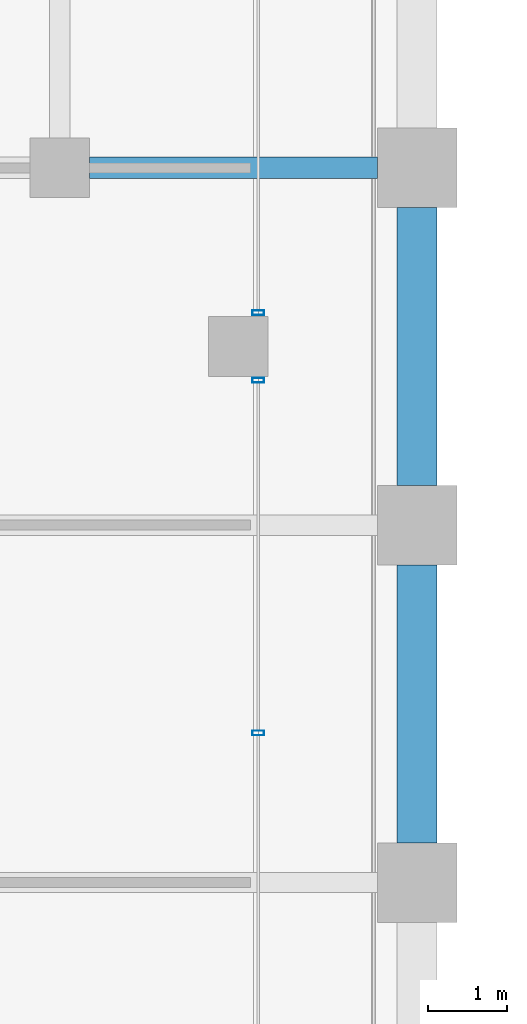
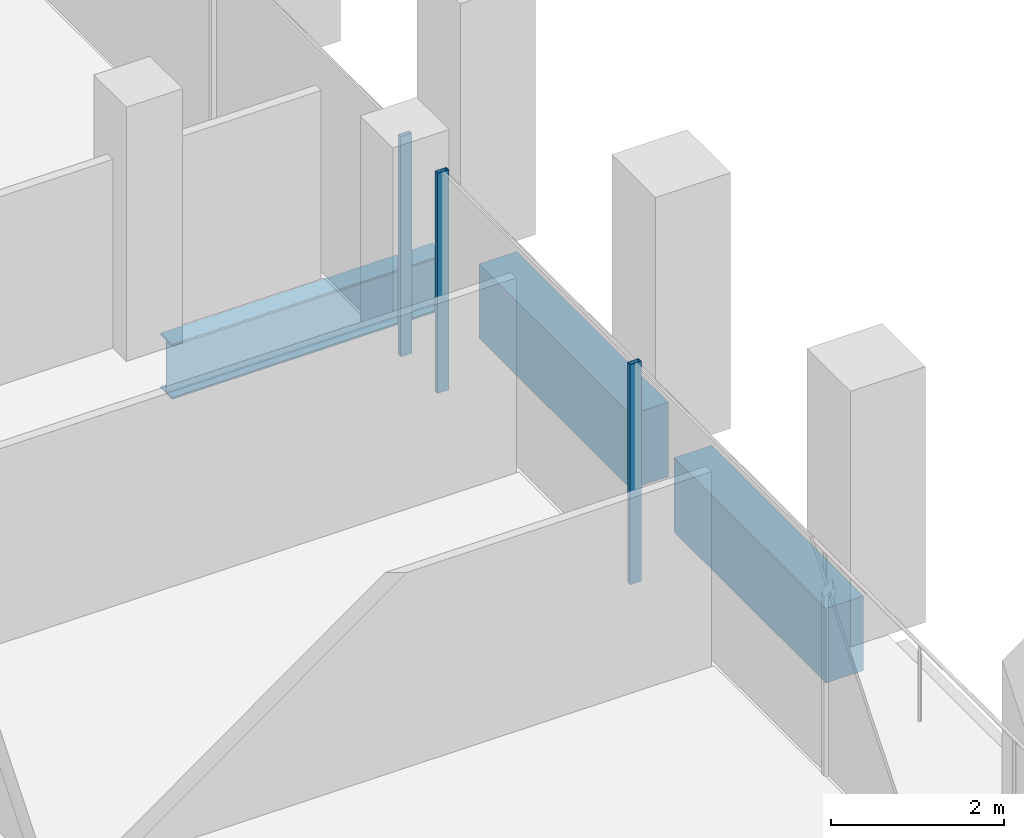
# One storey, part 19 of 46: 3 beams, 3 members, 2 elements without a shape of their own.
"""IFC4 building model written with IfcOpenShell, lengths in metres."""

from ifc_helpers import new_model, si_unit, direction, frame, origin, origin_2d, place, context, subcontext, project, spatial, rectangle, hollow_rectangle, i_section, extrude, material, material_profile, profile_set, type_object, element, aggregate, save


model = new_model("IFC4")

# Units and contexts
model_context = context("Model", 3, precision=1e-05, world=origin(), true_north=direction((0.0, 1.0)))
body_context = subcontext(model_context, "Body", "Model", "MODEL_VIEW")
ifc_project = project(units=[si_unit("LENGTHUNIT", "METRE"), si_unit("AREAUNIT", "SQUARE_METRE"), si_unit("VOLUMEUNIT", "CUBIC_METRE"), si_unit("PLANEANGLEUNIT", "RADIAN"), si_unit("MASSUNIT", "GRAM", prefix="KILO")], contexts=[model_context])

# Site, building, storey
site_placement = place(None, origin())
site = spatial("IfcSite", under=ifc_project, at=site_placement, CompositionType="ELEMENT")
building_placement = place(site_placement, origin())
building = spatial("IfcBuilding", under=site, at=building_placement, Name="Altepetl Exchange Towers", CompositionType="ELEMENT")
storey_placement = place(building_placement, frame((0.0, 0.0, 131.60009765625)))
storey = spatial("IfcBuildingStorey", under=building, at=storey_placement, Name="L32", CompositionType="ELEMENT", Elevation=131.60009765625)

# Beam
ifc_material_1 = material(Name="Steel S355", Category="steel")
ifc_material_profile_1 = material_profile(ifc_material_1, i_section(OverallWidth=0.26806640625, OverallDepth=0.77392578125, WebThickness=0.015380859375, FlangeThickness=0.025390625, at=origin_2d()), Name="W30X132")
ifc_profile_set_1 = profile_set([ifc_material_profile_1], Name="Steel S355")
beam_type_1 = type_object("IfcBeamType", Name="Girder W30X132", PredefinedType="BEAM", material=ifc_profile_set_1)
beam_placement = place(storey_placement, frame((67.875, 58.5, -0.537109375), z_axis=(1.0, 0.0, 0.0), x_axis=(0.0, 1.0, 0.0)))
element("IfcBeam", 1, at=beam_placement, inside=storey, type_object=beam_type_1, Name="gd:A:L32:002", PredefinedType="BEAM", context=body_context, shape_type="SweptSolid", body=[
    extrude(i_section(OverallWidth=0.26806640625, OverallDepth=0.77392578125, WebThickness=0.015380859375, FlangeThickness=0.025390625, at=origin_2d()), origin(), (0.0, 0.0, 1.0), 3.625),
])

# Curtain wall, members
ifc_material_2 = material(Name="Aluminium 6063-T6 glazing", Category="aluminium")
curtain_wall_type = type_object("IfcCurtainWallType", Name="Loggia glazing system", PredefinedType="NOTDEFINED", material=ifc_material_2)
curtain_wall_1_placement = place(storey_placement, origin())
curtain_wall_1 = element("IfcCurtainWall", 2, at=curtain_wall_1_placement, inside=storey, type_object=curtain_wall_type, Name="CW1 run", PredefinedType="NOTDEFINED")
ifc_material_3 = material(Name="Aluminium 6063-T6", Category="aluminium")
ifc_material_profile_2 = material_profile(ifc_material_3, hollow_rectangle(XDim=0.06005859375, YDim=0.14990234375, WallThickness=0.0029296875, at=origin_2d()), Name="Mullion 60x150 aluminium")
ifc_profile_set_2 = profile_set([ifc_material_profile_2], Name="Aluminium 6063-T6")
member_type = type_object("IfcMemberType", Name="Mullion 60x150 aluminium", PredefinedType="MULLION", material=ifc_profile_set_2)
member_1_placement = place(storey_placement, frame((70.0, 51.384033203125, 0.0), z_axis=(0.0, 0.0, 1.0), x_axis=(0.0, 1.0, 0.0)))
member_1 = element("IfcMember", 3, at=member_1_placement, type_object=member_type, Name="MU1 mullion", PredefinedType="MULLION", context=body_context, shape_type="SweptSolid", body=[
    extrude(hollow_rectangle(XDim=0.06005859375, YDim=0.14990234375, WallThickness=0.0029296875, at=origin_2d()), origin(), (0.0, 0.0, 1.0), 3.099853515625),
])
member_2_placement = place(storey_placement, frame((70.0, 55.824951171875, 0.0), z_axis=(0.0, 0.0, 1.0), x_axis=(0.0, 1.0, 0.0)))
member_2 = element("IfcMember", 4, at=member_2_placement, type_object=member_type, Name="MU1 mullion", PredefinedType="MULLION", context=body_context, shape_type="SweptSolid", body=[
    extrude(hollow_rectangle(XDim=0.06005859375, YDim=0.14990234375, WallThickness=0.0029296875, at=origin_2d()), origin(), (0.0, 0.0, 1.0), 3.099853515625),
])
aggregate(curtain_wall_1, [member_1, member_2])

# Curtain wall, member
curtain_wall_2_placement = place(storey_placement, origin())
curtain_wall_2 = element("IfcCurtainWall", 5, at=curtain_wall_2_placement, inside=storey, type_object=curtain_wall_type, Name="CW1 run", PredefinedType="NOTDEFINED")
member_3_placement = place(storey_placement, frame((70.0, 56.675048828125, 0.0), z_axis=(0.0, 0.0, 1.0), x_axis=(0.0, 1.0, 0.0)))
member_3 = element("IfcMember", 6, at=member_3_placement, type_object=member_type, Name="MU1 mullion", PredefinedType="MULLION", context=body_context, shape_type="SweptSolid", body=[
    extrude(hollow_rectangle(XDim=0.06005859375, YDim=0.14990234375, WallThickness=0.0029296875, at=origin_2d()), origin(), (0.0, 0.0, 1.0), 3.099853515625),
])
aggregate(curtain_wall_2, [member_3])

# Beams
ifc_material_4 = material(Name="Concrete C50/60 precast with cantera amarilla facing", Category="concrete")
ifc_material_profile_3 = material_profile(ifc_material_4, rectangle(XDim=0.5, YDim=1.050048828125, at=origin_2d()), Name="500 x 1050")
ifc_profile_set_3 = profile_set([ifc_material_profile_3], Name="Concrete C50/60 precast with cantera amarilla facing")
beam_type_2 = type_object("IfcBeamType", Name="Spandrel beam 500x1050 cantera amarilla", PredefinedType="SPANDREL", material=ifc_profile_set_3)
for number, where, z_axis, x_axis, name in (
    (7, (72.0, 50.0, -0.675048828125), (0.0, 1.0, 0.0), (-1.0, 0.0, 0.0), "sp:A:L32:016"),
    (8, (72.0, 54.5, -0.675048828125), (0.0, 1.0, 0.0), (-1.0, 0.0, 0.0), "sp:A:L32:017"),
):
    element("IfcBeam", number, at=place(storey_placement, frame(where, z_axis=z_axis, x_axis=x_axis)), inside=storey, type_object=beam_type_2, Name=name, PredefinedType="SPANDREL", context=body_context, shape_type="SweptSolid", body=[
        extrude(rectangle(XDim=0.5, YDim=1.050048828125, at=origin_2d()), origin(), (0.0, 0.0, 1.0), 3.5),
    ])

save(model, "model.ifc")
